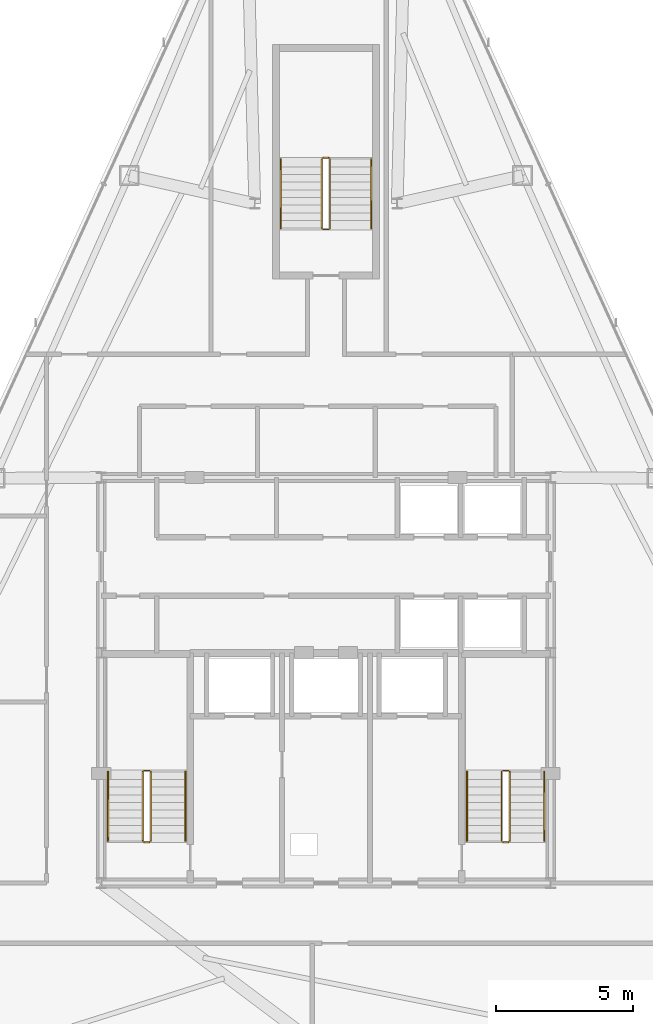
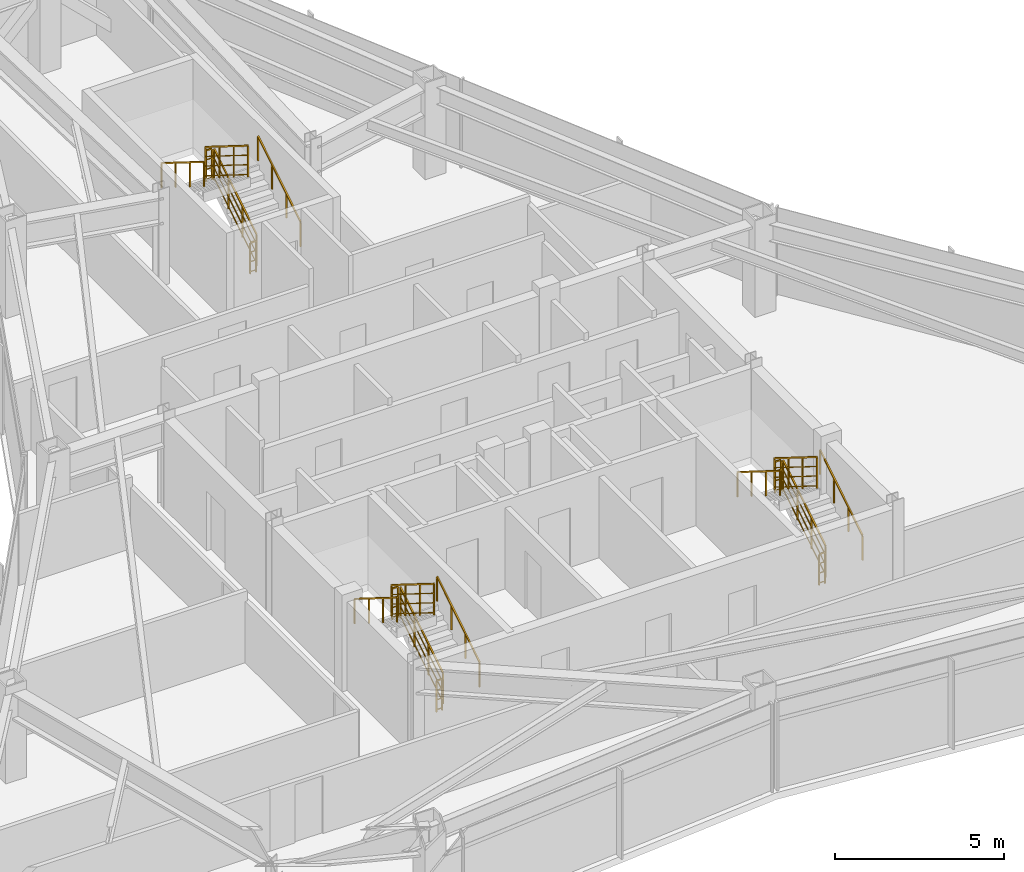
# One storey, part 11 of 11: 18 railings.
"""IFC4 building model written with IfcOpenShell, lengths in metres."""

from ifc_helpers import new_model, si_unit, direction, frame, origin, origin_2d, place, context, subcontext, project, spatial, rectangle, extrude, material, type_object, element, save


model = new_model("IFC4")

# Units and contexts
model_context = context("Model", 3, precision=1e-05, world=origin(), true_north=direction((0.0, 1.0)))
body_context = subcontext(model_context, "Body", "Model", "MODEL_VIEW")
ifc_project = project(units=[si_unit("LENGTHUNIT", "METRE"), si_unit("AREAUNIT", "SQUARE_METRE"), si_unit("VOLUMEUNIT", "CUBIC_METRE"), si_unit("PLANEANGLEUNIT", "RADIAN"), si_unit("MASSUNIT", "GRAM", prefix="KILO")], contexts=[model_context])

# Site, building, storey
site_placement = place(None, origin())
site = spatial("IfcSite", under=ifc_project, at=site_placement, CompositionType="ELEMENT")
building_placement = place(site_placement, origin())
building = spatial("IfcBuilding", under=site, at=building_placement, Name="Varakhsha Concourse Tower", CompositionType="ELEMENT")
storey_placement = place(building_placement, frame((0.0, 0.0, 246.89990234375)))
storey = spatial("IfcBuildingStorey", under=building, at=storey_placement, Name="L70", CompositionType="ELEMENT", Elevation=246.89990234375)

# Railings
ifc_material = material(Name="Brushed Austenitic Stainless Steel AISI 316", Category="steel")
railing_type_1 = type_object("IfcRailingType", Name="RL-STAIR-GUARD-1100", PredefinedType="GUARDRAIL", material=ifc_material)
railing_1_placement = place(storey_placement, frame((33.610107421875, 17.93994140625, 0.175048828125)))
element("IfcRailing", 1, at=railing_1_placement, inside=storey, type_object=railing_type_1, Name="L70 ST1 stair guard 1", PredefinedType="GUARDRAIL", context=body_context, shape_type="SweptSolid", body=[
    extrude(rectangle(XDim=0.048095703125, YDim=0.048095703125, at=origin_2d()), frame((0.0, 0.0, 1.1259765625), z_axis=(0.0, 0.848007534815, 0.529984170421), x_axis=(-1.0, 0.0, 0.0)), (0.0, 0.0, 1.0), 2.9716796875),
    extrude(rectangle(XDim=0.028076171875, YDim=0.028076171875, at=origin_2d()), frame((0.0, 0.0, 0.080078125), z_axis=(0.0, 0.848007534815, 0.529984170421), x_axis=(-1.0, 0.0, 0.0)), (0.0, 0.0, 1.0), 2.9716796875),
    extrude(rectangle(XDim=0.028076171875, YDim=0.028076171875, at=origin_2d()), frame((0.0, 0.0, 0.43701171875), z_axis=(0.0, 0.848007534815, 0.529984170421), x_axis=(-1.0, 0.0, 0.0)), (0.0, 0.0, 1.0), 2.9716796875),
    extrude(rectangle(XDim=0.028076171875, YDim=0.028076171875, at=origin_2d()), frame((0.0, 0.0, 0.781982421875), z_axis=(0.0, 0.848007534815, 0.529984170421), x_axis=(-1.0, 0.0, 0.0)), (0.0, 0.0, 1.0), 2.9716796875),
    extrude(rectangle(XDim=0.0419921875, YDim=0.0419921875, at=origin_2d()), origin(), (0.0, 0.0, 1.0), 1.101806640625),
    extrude(rectangle(XDim=0.0419921875, YDim=0.0419921875, at=origin_2d()), frame((0.0, 0.840087890625, 0.52490234375)), (0.0, 0.0, 1.0), 1.101806640625),
    extrude(rectangle(XDim=0.0419921875, YDim=0.0419921875, at=origin_2d()), frame((0.0, 1.679931640625, 1.050048828125)), (0.0, 0.0, 1.0), 1.101806640625),
    extrude(rectangle(XDim=0.0419921875, YDim=0.0419921875, at=origin_2d()), frame((0.0, 2.52001953125, 1.574951171875)), (0.0, 0.0, 1.0), 1.101806640625),
])
railing_2_placement = place(storey_placement, frame((33.56005859375, 20.510009765625, 1.75)))
element("IfcRailing", 2, at=railing_2_placement, inside=storey, type_object=railing_type_1, Name="L70 ST1 stair guard 2", PredefinedType="GUARDRAIL", context=body_context, shape_type="SweptSolid", body=[
    extrude(rectangle(XDim=0.048095703125, YDim=0.048095703125, at=origin_2d()), frame((0.0, 0.0, 1.1259765625), z_axis=(-1.0, 0.0, 0.0), x_axis=(0.0, -1.0, 0.0)), (0.0, 0.0, 1.0), 0.199951171875),
    extrude(rectangle(XDim=0.028076171875, YDim=0.028076171875, at=origin_2d()), frame((0.0, 0.0, 0.080078125), z_axis=(-1.0, 0.0, 0.0), x_axis=(0.0, -1.0, 0.0)), (0.0, 0.0, 1.0), 0.199951171875),
    extrude(rectangle(XDim=0.028076171875, YDim=0.028076171875, at=origin_2d()), frame((0.0, 0.0, 0.43701171875), z_axis=(-1.0, 0.0, 0.0), x_axis=(0.0, -1.0, 0.0)), (0.0, 0.0, 1.0), 0.199951171875),
    extrude(rectangle(XDim=0.028076171875, YDim=0.028076171875, at=origin_2d()), frame((0.0, 0.0, 0.781982421875), z_axis=(-1.0, 0.0, 0.0), x_axis=(0.0, -1.0, 0.0)), (0.0, 0.0, 1.0), 0.199951171875),
    extrude(rectangle(XDim=0.0419921875, YDim=0.0419921875, at=origin_2d()), origin(), (0.0, 0.0, 1.0), 1.101806640625),
    extrude(rectangle(XDim=0.0419921875, YDim=0.0419921875, at=origin_2d()), frame((-0.199951171875, 0.0, 0.0)), (0.0, 0.0, 1.0), 1.101806640625),
])
railing_3_placement = place(storey_placement, frame((33.31005859375, 20.4599609375, 1.925048828125)))
element("IfcRailing", 3, at=railing_3_placement, inside=storey, type_object=railing_type_1, Name="L70 ST1 stair guard 3", PredefinedType="GUARDRAIL", context=body_context, shape_type="SweptSolid", body=[
    extrude(rectangle(XDim=0.048095703125, YDim=0.048095703125, at=origin_2d()), frame((0.0, 0.0, 1.1259765625), z_axis=(0.0, -0.848007534815, 0.529984170421), x_axis=(1.0, 0.0, 0.0)), (0.0, 0.0, 1.0), 2.9716796875),
    extrude(rectangle(XDim=0.028076171875, YDim=0.028076171875, at=origin_2d()), frame((0.0, 0.0, 0.080078125), z_axis=(0.0, -0.848007534815, 0.529984170421), x_axis=(1.0, 0.0, 0.0)), (0.0, 0.0, 1.0), 2.9716796875),
    extrude(rectangle(XDim=0.028076171875, YDim=0.028076171875, at=origin_2d()), frame((0.0, 0.0, 0.43701171875), z_axis=(0.0, -0.848007534815, 0.529984170421), x_axis=(1.0, 0.0, 0.0)), (0.0, 0.0, 1.0), 2.9716796875),
    extrude(rectangle(XDim=0.028076171875, YDim=0.028076171875, at=origin_2d()), frame((0.0, 0.0, 0.781982421875), z_axis=(0.0, -0.848007534815, 0.529984170421), x_axis=(1.0, 0.0, 0.0)), (0.0, 0.0, 1.0), 2.9716796875),
    extrude(rectangle(XDim=0.0419921875, YDim=0.0419921875, at=origin_2d()), origin(), (0.0, 0.0, 1.0), 1.101806640625),
    extrude(rectangle(XDim=0.0419921875, YDim=0.0419921875, at=origin_2d()), frame((0.0, -0.840087890625, 0.52490234375)), (0.0, 0.0, 1.0), 1.101806640625),
    extrude(rectangle(XDim=0.0419921875, YDim=0.0419921875, at=origin_2d()), frame((0.0, -1.679931640625, 1.050048828125)), (0.0, 0.0, 1.0), 1.101806640625),
    extrude(rectangle(XDim=0.0419921875, YDim=0.0419921875, at=origin_2d()), frame((0.0, -2.52001953125, 1.574951171875)), (0.0, 0.0, 1.0), 1.101806640625),
])
railing_4_placement = place(storey_placement, frame((33.56005859375, 17.889892578125, 0.0)))
element("IfcRailing", 4, at=railing_4_placement, inside=storey, type_object=railing_type_1, Name="L70 ST1 stair guard 4", PredefinedType="GUARDRAIL", context=body_context, shape_type="SweptSolid", body=[
    extrude(rectangle(XDim=0.048095703125, YDim=0.048095703125, at=origin_2d()), frame((0.0, 0.0, 1.1259765625), z_axis=(-1.0, 0.0, 0.0), x_axis=(0.0, -1.0, 0.0)), (0.0, 0.0, 1.0), 0.199951171875),
    extrude(rectangle(XDim=0.028076171875, YDim=0.028076171875, at=origin_2d()), frame((0.0, 0.0, 0.080078125), z_axis=(-1.0, 0.0, 0.0), x_axis=(0.0, -1.0, 0.0)), (0.0, 0.0, 1.0), 0.199951171875),
    extrude(rectangle(XDim=0.028076171875, YDim=0.028076171875, at=origin_2d()), frame((0.0, 0.0, 0.43701171875), z_axis=(-1.0, 0.0, 0.0), x_axis=(0.0, -1.0, 0.0)), (0.0, 0.0, 1.0), 0.199951171875),
    extrude(rectangle(XDim=0.028076171875, YDim=0.028076171875, at=origin_2d()), frame((0.0, 0.0, 0.781982421875), z_axis=(-1.0, 0.0, 0.0), x_axis=(0.0, -1.0, 0.0)), (0.0, 0.0, 1.0), 0.199951171875),
    extrude(rectangle(XDim=0.0419921875, YDim=0.0419921875, at=origin_2d()), origin(), (0.0, 0.0, 1.0), 1.101806640625),
    extrude(rectangle(XDim=0.0419921875, YDim=0.0419921875, at=origin_2d()), frame((-0.199951171875, 0.0, 0.0)), (0.0, 0.0, 1.0), 1.101806640625),
])
railing_5_placement = place(storey_placement, frame((46.7099609375, 17.93994140625, 0.175048828125)))
element("IfcRailing", 5, at=railing_5_placement, inside=storey, type_object=railing_type_1, Name="L70 ST2 stair guard 1", PredefinedType="GUARDRAIL", context=body_context, shape_type="SweptSolid", body=[
    extrude(rectangle(XDim=0.048095703125, YDim=0.048095703125, at=origin_2d()), frame((0.0, 0.0, 1.1259765625), z_axis=(0.0, 0.848007534815, 0.529984170421), x_axis=(-1.0, 0.0, 0.0)), (0.0, 0.0, 1.0), 2.9716796875),
    extrude(rectangle(XDim=0.028076171875, YDim=0.028076171875, at=origin_2d()), frame((0.0, 0.0, 0.080078125), z_axis=(0.0, 0.848007534815, 0.529984170421), x_axis=(-1.0, 0.0, 0.0)), (0.0, 0.0, 1.0), 2.9716796875),
    extrude(rectangle(XDim=0.028076171875, YDim=0.028076171875, at=origin_2d()), frame((0.0, 0.0, 0.43701171875), z_axis=(0.0, 0.848007534815, 0.529984170421), x_axis=(-1.0, 0.0, 0.0)), (0.0, 0.0, 1.0), 2.9716796875),
    extrude(rectangle(XDim=0.028076171875, YDim=0.028076171875, at=origin_2d()), frame((0.0, 0.0, 0.781982421875), z_axis=(0.0, 0.848007534815, 0.529984170421), x_axis=(-1.0, 0.0, 0.0)), (0.0, 0.0, 1.0), 2.9716796875),
    extrude(rectangle(XDim=0.0419921875, YDim=0.0419921875, at=origin_2d()), origin(), (0.0, 0.0, 1.0), 1.101806640625),
    extrude(rectangle(XDim=0.0419921875, YDim=0.0419921875, at=origin_2d()), frame((0.0, 0.840087890625, 0.52490234375)), (0.0, 0.0, 1.0), 1.101806640625),
    extrude(rectangle(XDim=0.0419921875, YDim=0.0419921875, at=origin_2d()), frame((0.0, 1.679931640625, 1.050048828125)), (0.0, 0.0, 1.0), 1.101806640625),
    extrude(rectangle(XDim=0.0419921875, YDim=0.0419921875, at=origin_2d()), frame((0.0, 2.52001953125, 1.574951171875)), (0.0, 0.0, 1.0), 1.101806640625),
])
railing_6_placement = place(storey_placement, frame((46.659912109375, 20.510009765625, 1.75)))
element("IfcRailing", 6, at=railing_6_placement, inside=storey, type_object=railing_type_1, Name="L70 ST2 stair guard 2", PredefinedType="GUARDRAIL", context=body_context, shape_type="SweptSolid", body=[
    extrude(rectangle(XDim=0.048095703125, YDim=0.048095703125, at=origin_2d()), frame((0.0, 0.0, 1.1259765625), z_axis=(-1.0, 0.0, 0.0), x_axis=(0.0, -1.0, 0.0)), (0.0, 0.0, 1.0), 0.199951171875),
    extrude(rectangle(XDim=0.028076171875, YDim=0.028076171875, at=origin_2d()), frame((0.0, 0.0, 0.080078125), z_axis=(-1.0, 0.0, 0.0), x_axis=(0.0, -1.0, 0.0)), (0.0, 0.0, 1.0), 0.199951171875),
    extrude(rectangle(XDim=0.028076171875, YDim=0.028076171875, at=origin_2d()), frame((0.0, 0.0, 0.43701171875), z_axis=(-1.0, 0.0, 0.0), x_axis=(0.0, -1.0, 0.0)), (0.0, 0.0, 1.0), 0.199951171875),
    extrude(rectangle(XDim=0.028076171875, YDim=0.028076171875, at=origin_2d()), frame((0.0, 0.0, 0.781982421875), z_axis=(-1.0, 0.0, 0.0), x_axis=(0.0, -1.0, 0.0)), (0.0, 0.0, 1.0), 0.199951171875),
    extrude(rectangle(XDim=0.0419921875, YDim=0.0419921875, at=origin_2d()), origin(), (0.0, 0.0, 1.0), 1.101806640625),
    extrude(rectangle(XDim=0.0419921875, YDim=0.0419921875, at=origin_2d()), frame((-0.199951171875, 0.0, 0.0)), (0.0, 0.0, 1.0), 1.101806640625),
])
railing_7_placement = place(storey_placement, frame((46.409912109375, 20.4599609375, 1.925048828125)))
element("IfcRailing", 7, at=railing_7_placement, inside=storey, type_object=railing_type_1, Name="L70 ST2 stair guard 3", PredefinedType="GUARDRAIL", context=body_context, shape_type="SweptSolid", body=[
    extrude(rectangle(XDim=0.048095703125, YDim=0.048095703125, at=origin_2d()), frame((0.0, 0.0, 1.1259765625), z_axis=(0.0, -0.848007534815, 0.529984170421), x_axis=(1.0, 0.0, 0.0)), (0.0, 0.0, 1.0), 2.9716796875),
    extrude(rectangle(XDim=0.028076171875, YDim=0.028076171875, at=origin_2d()), frame((0.0, 0.0, 0.080078125), z_axis=(0.0, -0.848007534815, 0.529984170421), x_axis=(1.0, 0.0, 0.0)), (0.0, 0.0, 1.0), 2.9716796875),
    extrude(rectangle(XDim=0.028076171875, YDim=0.028076171875, at=origin_2d()), frame((0.0, 0.0, 0.43701171875), z_axis=(0.0, -0.848007534815, 0.529984170421), x_axis=(1.0, 0.0, 0.0)), (0.0, 0.0, 1.0), 2.9716796875),
    extrude(rectangle(XDim=0.028076171875, YDim=0.028076171875, at=origin_2d()), frame((0.0, 0.0, 0.781982421875), z_axis=(0.0, -0.848007534815, 0.529984170421), x_axis=(1.0, 0.0, 0.0)), (0.0, 0.0, 1.0), 2.9716796875),
    extrude(rectangle(XDim=0.0419921875, YDim=0.0419921875, at=origin_2d()), origin(), (0.0, 0.0, 1.0), 1.101806640625),
    extrude(rectangle(XDim=0.0419921875, YDim=0.0419921875, at=origin_2d()), frame((0.0, -0.840087890625, 0.52490234375)), (0.0, 0.0, 1.0), 1.101806640625),
    extrude(rectangle(XDim=0.0419921875, YDim=0.0419921875, at=origin_2d()), frame((0.0, -1.679931640625, 1.050048828125)), (0.0, 0.0, 1.0), 1.101806640625),
    extrude(rectangle(XDim=0.0419921875, YDim=0.0419921875, at=origin_2d()), frame((0.0, -2.52001953125, 1.574951171875)), (0.0, 0.0, 1.0), 1.101806640625),
])
railing_8_placement = place(storey_placement, frame((46.659912109375, 17.889892578125, 0.0)))
element("IfcRailing", 8, at=railing_8_placement, inside=storey, type_object=railing_type_1, Name="L70 ST2 stair guard 4", PredefinedType="GUARDRAIL", context=body_context, shape_type="SweptSolid", body=[
    extrude(rectangle(XDim=0.048095703125, YDim=0.048095703125, at=origin_2d()), frame((0.0, 0.0, 1.1259765625), z_axis=(-1.0, 0.0, 0.0), x_axis=(0.0, -1.0, 0.0)), (0.0, 0.0, 1.0), 0.199951171875),
    extrude(rectangle(XDim=0.028076171875, YDim=0.028076171875, at=origin_2d()), frame((0.0, 0.0, 0.080078125), z_axis=(-1.0, 0.0, 0.0), x_axis=(0.0, -1.0, 0.0)), (0.0, 0.0, 1.0), 0.199951171875),
    extrude(rectangle(XDim=0.028076171875, YDim=0.028076171875, at=origin_2d()), frame((0.0, 0.0, 0.43701171875), z_axis=(-1.0, 0.0, 0.0), x_axis=(0.0, -1.0, 0.0)), (0.0, 0.0, 1.0), 0.199951171875),
    extrude(rectangle(XDim=0.028076171875, YDim=0.028076171875, at=origin_2d()), frame((0.0, 0.0, 0.781982421875), z_axis=(-1.0, 0.0, 0.0), x_axis=(0.0, -1.0, 0.0)), (0.0, 0.0, 1.0), 0.199951171875),
    extrude(rectangle(XDim=0.0419921875, YDim=0.0419921875, at=origin_2d()), origin(), (0.0, 0.0, 1.0), 1.101806640625),
    extrude(rectangle(XDim=0.0419921875, YDim=0.0419921875, at=origin_2d()), frame((-0.199951171875, 0.0, 0.0)), (0.0, 0.0, 1.0), 1.101806640625),
])
railing_9_placement = place(storey_placement, frame((40.14990234375, 40.300048828125, 0.175048828125)))
element("IfcRailing", 9, at=railing_9_placement, inside=storey, type_object=railing_type_1, Name="L70 ST5 stair guard 1", PredefinedType="GUARDRAIL", context=body_context, shape_type="SweptSolid", body=[
    extrude(rectangle(XDim=0.048095703125, YDim=0.048095703125, at=origin_2d()), frame((0.0, 0.0, 1.1259765625), z_axis=(0.0, 0.848007534815, 0.529984170421), x_axis=(-1.0, 0.0, 0.0)), (0.0, 0.0, 1.0), 2.9716796875),
    extrude(rectangle(XDim=0.028076171875, YDim=0.028076171875, at=origin_2d()), frame((0.0, 0.0, 0.080078125), z_axis=(0.0, 0.848007534815, 0.529984170421), x_axis=(-1.0, 0.0, 0.0)), (0.0, 0.0, 1.0), 2.9716796875),
    extrude(rectangle(XDim=0.028076171875, YDim=0.028076171875, at=origin_2d()), frame((0.0, 0.0, 0.43701171875), z_axis=(0.0, 0.848007534815, 0.529984170421), x_axis=(-1.0, 0.0, 0.0)), (0.0, 0.0, 1.0), 2.9716796875),
    extrude(rectangle(XDim=0.028076171875, YDim=0.028076171875, at=origin_2d()), frame((0.0, 0.0, 0.781982421875), z_axis=(0.0, 0.848007534815, 0.529984170421), x_axis=(-1.0, 0.0, 0.0)), (0.0, 0.0, 1.0), 2.9716796875),
    extrude(rectangle(XDim=0.0419921875, YDim=0.0419921875, at=origin_2d()), origin(), (0.0, 0.0, 1.0), 1.101806640625),
    extrude(rectangle(XDim=0.0419921875, YDim=0.0419921875, at=origin_2d()), frame((0.0, 0.840087890625, 0.52490234375)), (0.0, 0.0, 1.0), 1.101806640625),
    extrude(rectangle(XDim=0.0419921875, YDim=0.0419921875, at=origin_2d()), frame((0.0, 1.679931640625, 1.050048828125)), (0.0, 0.0, 1.0), 1.101806640625),
    extrude(rectangle(XDim=0.0419921875, YDim=0.0419921875, at=origin_2d()), frame((0.0, 2.52001953125, 1.574951171875)), (0.0, 0.0, 1.0), 1.101806640625),
])
railing_10_placement = place(storey_placement, frame((40.10009765625, 42.8701171875, 1.75)))
element("IfcRailing", 10, at=railing_10_placement, inside=storey, type_object=railing_type_1, Name="L70 ST5 stair guard 2", PredefinedType="GUARDRAIL", context=body_context, shape_type="SweptSolid", body=[
    extrude(rectangle(XDim=0.048095703125, YDim=0.048095703125, at=origin_2d()), frame((0.0, 0.0, 1.1259765625), z_axis=(-1.0, 0.0, 0.0), x_axis=(0.0, -1.0, 0.0)), (0.0, 0.0, 1.0), 0.2001953125),
    extrude(rectangle(XDim=0.028076171875, YDim=0.028076171875, at=origin_2d()), frame((0.0, 0.0, 0.080078125), z_axis=(-1.0, 0.0, 0.0), x_axis=(0.0, -1.0, 0.0)), (0.0, 0.0, 1.0), 0.2001953125),
    extrude(rectangle(XDim=0.028076171875, YDim=0.028076171875, at=origin_2d()), frame((0.0, 0.0, 0.43701171875), z_axis=(-1.0, 0.0, 0.0), x_axis=(0.0, -1.0, 0.0)), (0.0, 0.0, 1.0), 0.2001953125),
    extrude(rectangle(XDim=0.028076171875, YDim=0.028076171875, at=origin_2d()), frame((0.0, 0.0, 0.781982421875), z_axis=(-1.0, 0.0, 0.0), x_axis=(0.0, -1.0, 0.0)), (0.0, 0.0, 1.0), 0.2001953125),
    extrude(rectangle(XDim=0.0419921875, YDim=0.0419921875, at=origin_2d()), origin(), (0.0, 0.0, 1.0), 1.101806640625),
    extrude(rectangle(XDim=0.0419921875, YDim=0.0419921875, at=origin_2d()), frame((-0.2001953125, 0.0, 0.0)), (0.0, 0.0, 1.0), 1.101806640625),
])
railing_11_placement = place(storey_placement, frame((39.85009765625, 42.820068359375, 1.925048828125)))
element("IfcRailing", 11, at=railing_11_placement, inside=storey, type_object=railing_type_1, Name="L70 ST5 stair guard 3", PredefinedType="GUARDRAIL", context=body_context, shape_type="SweptSolid", body=[
    extrude(rectangle(XDim=0.048095703125, YDim=0.048095703125, at=origin_2d()), frame((0.0, 0.0, 1.1259765625), z_axis=(0.0, -0.848007534815, 0.529984170421), x_axis=(1.0, 0.0, 0.0)), (0.0, 0.0, 1.0), 2.9716796875),
    extrude(rectangle(XDim=0.028076171875, YDim=0.028076171875, at=origin_2d()), frame((0.0, 0.0, 0.080078125), z_axis=(0.0, -0.848007534815, 0.529984170421), x_axis=(1.0, 0.0, 0.0)), (0.0, 0.0, 1.0), 2.9716796875),
    extrude(rectangle(XDim=0.028076171875, YDim=0.028076171875, at=origin_2d()), frame((0.0, 0.0, 0.43701171875), z_axis=(0.0, -0.848007534815, 0.529984170421), x_axis=(1.0, 0.0, 0.0)), (0.0, 0.0, 1.0), 2.9716796875),
    extrude(rectangle(XDim=0.028076171875, YDim=0.028076171875, at=origin_2d()), frame((0.0, 0.0, 0.781982421875), z_axis=(0.0, -0.848007534815, 0.529984170421), x_axis=(1.0, 0.0, 0.0)), (0.0, 0.0, 1.0), 2.9716796875),
    extrude(rectangle(XDim=0.0419921875, YDim=0.0419921875, at=origin_2d()), origin(), (0.0, 0.0, 1.0), 1.101806640625),
    extrude(rectangle(XDim=0.0419921875, YDim=0.0419921875, at=origin_2d()), frame((0.0, -0.840087890625, 0.52490234375)), (0.0, 0.0, 1.0), 1.101806640625),
    extrude(rectangle(XDim=0.0419921875, YDim=0.0419921875, at=origin_2d()), frame((0.0, -1.679931640625, 1.050048828125)), (0.0, 0.0, 1.0), 1.101806640625),
    extrude(rectangle(XDim=0.0419921875, YDim=0.0419921875, at=origin_2d()), frame((0.0, -2.52001953125, 1.574951171875)), (0.0, 0.0, 1.0), 1.101806640625),
])
railing_12_placement = place(storey_placement, frame((40.10009765625, 40.25, 0.0)))
element("IfcRailing", 12, at=railing_12_placement, inside=storey, type_object=railing_type_1, Name="L70 ST5 stair guard 4", PredefinedType="GUARDRAIL", context=body_context, shape_type="SweptSolid", body=[
    extrude(rectangle(XDim=0.048095703125, YDim=0.048095703125, at=origin_2d()), frame((0.0, 0.0, 1.1259765625), z_axis=(-1.0, 0.0, 0.0), x_axis=(0.0, -1.0, 0.0)), (0.0, 0.0, 1.0), 0.2001953125),
    extrude(rectangle(XDim=0.028076171875, YDim=0.028076171875, at=origin_2d()), frame((0.0, 0.0, 0.080078125), z_axis=(-1.0, 0.0, 0.0), x_axis=(0.0, -1.0, 0.0)), (0.0, 0.0, 1.0), 0.2001953125),
    extrude(rectangle(XDim=0.028076171875, YDim=0.028076171875, at=origin_2d()), frame((0.0, 0.0, 0.43701171875), z_axis=(-1.0, 0.0, 0.0), x_axis=(0.0, -1.0, 0.0)), (0.0, 0.0, 1.0), 0.2001953125),
    extrude(rectangle(XDim=0.028076171875, YDim=0.028076171875, at=origin_2d()), frame((0.0, 0.0, 0.781982421875), z_axis=(-1.0, 0.0, 0.0), x_axis=(0.0, -1.0, 0.0)), (0.0, 0.0, 1.0), 0.2001953125),
    extrude(rectangle(XDim=0.0419921875, YDim=0.0419921875, at=origin_2d()), origin(), (0.0, 0.0, 1.0), 1.101806640625),
    extrude(rectangle(XDim=0.0419921875, YDim=0.0419921875, at=origin_2d()), frame((-0.2001953125, 0.0, 0.0)), (0.0, 0.0, 1.0), 1.101806640625),
])
railing_type_2 = type_object("IfcRailingType", Name="RL-STAIR-RAIL-915", PredefinedType="HANDRAIL", material=ifc_material)
railing_13_placement = place(storey_placement, frame((34.8701171875, 17.93994140625, 0.35009765625)))
element("IfcRailing", 13, at=railing_13_placement, inside=storey, type_object=railing_type_2, Name="L70 ST1 stair handrail 1", PredefinedType="HANDRAIL", context=body_context, shape_type="SweptSolid", body=[
    extrude(rectangle(XDim=0.048095703125, YDim=0.048095703125, at=origin_2d()), frame((0.0, 0.0, 0.89111328125), z_axis=(0.0, 0.848007534815, 0.529984170421), x_axis=(-1.0, 0.0, 0.0)), (0.0, 0.0, 1.0), 2.9716796875),
    extrude(rectangle(XDim=0.0419921875, YDim=0.0419921875, at=origin_2d()), origin(), (0.0, 0.0, 1.0), 0.866943359375),
    extrude(rectangle(XDim=0.0419921875, YDim=0.0419921875, at=origin_2d()), frame((0.0, 0.840087890625, 0.52490234375)), (0.0, 0.0, 1.0), 0.866943359375),
    extrude(rectangle(XDim=0.0419921875, YDim=0.0419921875, at=origin_2d()), frame((0.0, 1.679931640625, 1.050048828125)), (0.0, 0.0, 1.0), 0.866943359375),
    extrude(rectangle(XDim=0.0419921875, YDim=0.0419921875, at=origin_2d()), frame((0.0, 2.52001953125, 1.574951171875)), (0.0, 0.0, 1.0), 0.866943359375),
])
railing_14_placement = place(storey_placement, frame((32.050048828125, 20.4599609375, 2.10009765625)))
element("IfcRailing", 14, at=railing_14_placement, inside=storey, type_object=railing_type_2, Name="L70 ST1 stair handrail 2", PredefinedType="HANDRAIL", context=body_context, shape_type="SweptSolid", body=[
    extrude(rectangle(XDim=0.048095703125, YDim=0.048095703125, at=origin_2d()), frame((0.0, 0.0, 0.89111328125), z_axis=(0.0, -0.848007534815, 0.529984170421), x_axis=(1.0, 0.0, 0.0)), (0.0, 0.0, 1.0), 2.9716796875),
    extrude(rectangle(XDim=0.0419921875, YDim=0.0419921875, at=origin_2d()), origin(), (0.0, 0.0, 1.0), 0.866943359375),
    extrude(rectangle(XDim=0.0419921875, YDim=0.0419921875, at=origin_2d()), frame((0.0, -0.840087890625, 0.52490234375)), (0.0, 0.0, 1.0), 0.866943359375),
    extrude(rectangle(XDim=0.0419921875, YDim=0.0419921875, at=origin_2d()), frame((0.0, -1.679931640625, 1.050048828125)), (0.0, 0.0, 1.0), 0.866943359375),
    extrude(rectangle(XDim=0.0419921875, YDim=0.0419921875, at=origin_2d()), frame((0.0, -2.52001953125, 1.574951171875)), (0.0, 0.0, 1.0), 0.866943359375),
])
railing_15_placement = place(storey_placement, frame((47.969970703125, 17.93994140625, 0.35009765625)))
element("IfcRailing", 15, at=railing_15_placement, inside=storey, type_object=railing_type_2, Name="L70 ST2 stair handrail 1", PredefinedType="HANDRAIL", context=body_context, shape_type="SweptSolid", body=[
    extrude(rectangle(XDim=0.048095703125, YDim=0.048095703125, at=origin_2d()), frame((0.0, 0.0, 0.89111328125), z_axis=(0.0, 0.848007534815, 0.529984170421), x_axis=(-1.0, 0.0, 0.0)), (0.0, 0.0, 1.0), 2.9716796875),
    extrude(rectangle(XDim=0.0419921875, YDim=0.0419921875, at=origin_2d()), origin(), (0.0, 0.0, 1.0), 0.866943359375),
    extrude(rectangle(XDim=0.0419921875, YDim=0.0419921875, at=origin_2d()), frame((0.0, 0.840087890625, 0.52490234375)), (0.0, 0.0, 1.0), 0.866943359375),
    extrude(rectangle(XDim=0.0419921875, YDim=0.0419921875, at=origin_2d()), frame((0.0, 1.679931640625, 1.050048828125)), (0.0, 0.0, 1.0), 0.866943359375),
    extrude(rectangle(XDim=0.0419921875, YDim=0.0419921875, at=origin_2d()), frame((0.0, 2.52001953125, 1.574951171875)), (0.0, 0.0, 1.0), 0.866943359375),
])
railing_16_placement = place(storey_placement, frame((45.14990234375, 20.4599609375, 2.10009765625)))
element("IfcRailing", 16, at=railing_16_placement, inside=storey, type_object=railing_type_2, Name="L70 ST2 stair handrail 2", PredefinedType="HANDRAIL", context=body_context, shape_type="SweptSolid", body=[
    extrude(rectangle(XDim=0.048095703125, YDim=0.048095703125, at=origin_2d()), frame((0.0, 0.0, 0.89111328125), z_axis=(0.0, -0.848007534815, 0.529984170421), x_axis=(1.0, 0.0, 0.0)), (0.0, 0.0, 1.0), 2.9716796875),
    extrude(rectangle(XDim=0.0419921875, YDim=0.0419921875, at=origin_2d()), origin(), (0.0, 0.0, 1.0), 0.866943359375),
    extrude(rectangle(XDim=0.0419921875, YDim=0.0419921875, at=origin_2d()), frame((0.0, -0.840087890625, 0.52490234375)), (0.0, 0.0, 1.0), 0.866943359375),
    extrude(rectangle(XDim=0.0419921875, YDim=0.0419921875, at=origin_2d()), frame((0.0, -1.679931640625, 1.050048828125)), (0.0, 0.0, 1.0), 0.866943359375),
    extrude(rectangle(XDim=0.0419921875, YDim=0.0419921875, at=origin_2d()), frame((0.0, -2.52001953125, 1.574951171875)), (0.0, 0.0, 1.0), 0.866943359375),
])
railing_17_placement = place(storey_placement, frame((41.64990234375, 40.300048828125, 0.35009765625)))
element("IfcRailing", 17, at=railing_17_placement, inside=storey, type_object=railing_type_2, Name="L70 ST5 stair handrail 1", PredefinedType="HANDRAIL", context=body_context, shape_type="SweptSolid", body=[
    extrude(rectangle(XDim=0.048095703125, YDim=0.048095703125, at=origin_2d()), frame((0.0, 0.0, 0.89111328125), z_axis=(0.0, 0.848007534815, 0.529984170421), x_axis=(-1.0, 0.0, 0.0)), (0.0, 0.0, 1.0), 2.9716796875),
    extrude(rectangle(XDim=0.0419921875, YDim=0.0419921875, at=origin_2d()), origin(), (0.0, 0.0, 1.0), 0.866943359375),
    extrude(rectangle(XDim=0.0419921875, YDim=0.0419921875, at=origin_2d()), frame((0.0, 0.840087890625, 0.52490234375)), (0.0, 0.0, 1.0), 0.866943359375),
    extrude(rectangle(XDim=0.0419921875, YDim=0.0419921875, at=origin_2d()), frame((0.0, 1.679931640625, 1.050048828125)), (0.0, 0.0, 1.0), 0.866943359375),
    extrude(rectangle(XDim=0.0419921875, YDim=0.0419921875, at=origin_2d()), frame((0.0, 2.52001953125, 1.574951171875)), (0.0, 0.0, 1.0), 0.866943359375),
])
railing_18_placement = place(storey_placement, frame((38.35009765625, 42.820068359375, 2.10009765625)))
element("IfcRailing", 18, at=railing_18_placement, inside=storey, type_object=railing_type_2, Name="L70 ST5 stair handrail 2", PredefinedType="HANDRAIL", context=body_context, shape_type="SweptSolid", body=[
    extrude(rectangle(XDim=0.048095703125, YDim=0.048095703125, at=origin_2d()), frame((0.0, 0.0, 0.89111328125), z_axis=(0.0, -0.848007534815, 0.529984170421), x_axis=(1.0, 0.0, 0.0)), (0.0, 0.0, 1.0), 2.9716796875),
    extrude(rectangle(XDim=0.0419921875, YDim=0.0419921875, at=origin_2d()), origin(), (0.0, 0.0, 1.0), 0.866943359375),
    extrude(rectangle(XDim=0.0419921875, YDim=0.0419921875, at=origin_2d()), frame((0.0, -0.840087890625, 0.52490234375)), (0.0, 0.0, 1.0), 0.866943359375),
    extrude(rectangle(XDim=0.0419921875, YDim=0.0419921875, at=origin_2d()), frame((0.0, -1.679931640625, 1.050048828125)), (0.0, 0.0, 1.0), 0.866943359375),
    extrude(rectangle(XDim=0.0419921875, YDim=0.0419921875, at=origin_2d()), frame((0.0, -2.52001953125, 1.574951171875)), (0.0, 0.0, 1.0), 0.866943359375),
])

save(model, "model.ifc")
